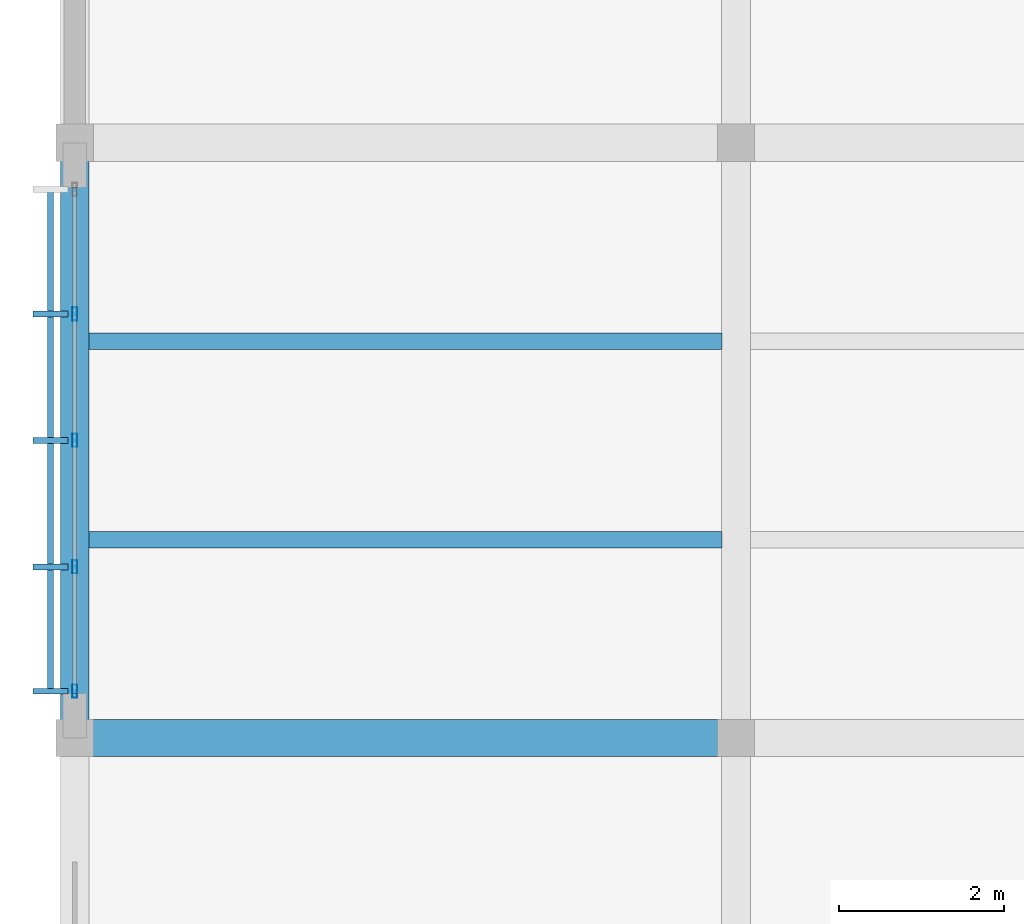
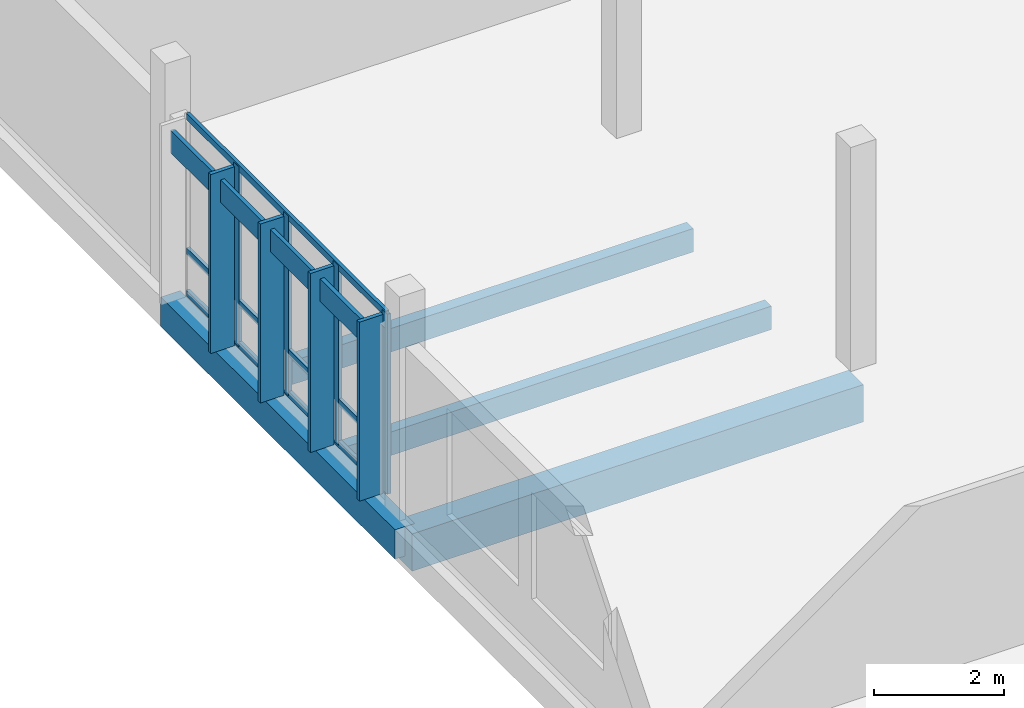
# One storey, part 66 of 182: 12 members, 4 beams, 1 element without a shape of its own.
"""IFC4 building model written with IfcOpenShell, lengths in metres."""

from ifc_helpers import new_model, si_unit, direction, frame, origin, origin_2d, place, context, subcontext, project, spatial, rectangle, hollow_rectangle, extrude, material, material_profile, profile_set, type_object, element, aggregate, save


model = new_model("IFC4")

# Units and contexts
model_context = context("Model", 3, precision=1e-05, world=origin(), true_north=direction((0.0, 1.0)))
body_context = subcontext(model_context, "Body", "Model", "MODEL_VIEW")
ifc_project = project(units=[si_unit("LENGTHUNIT", "METRE"), si_unit("AREAUNIT", "SQUARE_METRE"), si_unit("VOLUMEUNIT", "CUBIC_METRE"), si_unit("PLANEANGLEUNIT", "RADIAN"), si_unit("MASSUNIT", "GRAM", prefix="KILO")], contexts=[model_context])

# Site, building, storey
site_placement = place(None, origin())
site = spatial("IfcSite", under=ifc_project, at=site_placement, CompositionType="ELEMENT")
building_placement = place(site_placement, origin())
building = spatial("IfcBuilding", under=site, at=building_placement, Name="Chiffa Square Polytechnic", CompositionType="ELEMENT")
storey_placement = place(building_placement, frame((0.0, 0.0, 9.60009765625)))
storey = spatial("IfcBuildingStorey", under=building, at=storey_placement, Name="L02", CompositionType="ELEMENT", Elevation=9.60009765625)

# Beams
ifc_material_1 = material(Name="Concrete C35/45", Category="concrete")
ifc_material_profile_1 = material_profile(ifc_material_1, rectangle(XDim=0.35009765625, YDim=0.550048828125, at=origin_2d()), Name="RC 350x550")
ifc_profile_set_1 = profile_set([ifc_material_profile_1], Name="Concrete C35/45")
beam_type_1 = type_object("IfcBeamType", Name="BM-RC-350X550", PredefinedType="BEAM", material=ifc_profile_set_1)
beam_1_placement = place(storey_placement, frame((0.0, 65.39990234375, -0.59521484375), z_axis=(0.0, 1.0, 0.0), x_axis=(-1.0, 0.0, 0.0)))
element("IfcBeam", 1, at=beam_1_placement, inside=storey, type_object=beam_type_1, Name="Primary floor girder BM-V6-L02-Y-0000-0654", PredefinedType="BEAM", context=body_context, shape_type="SweptSolid", body=[
    extrude(rectangle(XDim=0.35009765625, YDim=0.550048828125, at=origin_2d()), origin(), (0.0, 0.0, 1.0), 7.2001953125),
])
ifc_material_profile_2 = material_profile(ifc_material_1, rectangle(XDim=0.449951171875, YDim=0.699951171875, at=origin_2d()), Name="RC 450x700")
ifc_profile_set_2 = profile_set([ifc_material_profile_2], Name="Concrete C35/45")
beam_type_2 = type_object("IfcBeamType", Name="BM-RC-450X700", PredefinedType="BEAM", material=ifc_profile_set_2)
beam_2_placement = place(storey_placement, frame((0.0, 65.39990234375, -0.670166015625), z_axis=(1.0, 0.0, 0.0), x_axis=(0.0, 1.0, 0.0)))
element("IfcBeam", 2, at=beam_2_placement, inside=storey, type_object=beam_type_2, Name="Primary floor girder BM-V6-L02-X-0000-0654", PredefinedType="BEAM", context=body_context, shape_type="SweptSolid", body=[
    extrude(rectangle(XDim=0.449951171875, YDim=0.699951171875, at=origin_2d()), origin(), (0.0, 0.0, 1.0), 8.0),
])

# Curtain wall, members
ifc_material_2 = material(Name="Aluminium EN AW-6060 T66 and glulam shading", Category="wood")
curtain_wall_type = type_object("IfcCurtainWallType", Name="CW-VERT-300X380", PredefinedType="USERDEFINED", material=ifc_material_2)
curtain_wall_placement = place(storey_placement, origin())
curtain_wall = element("IfcCurtainWall", 3, at=curtain_wall_placement, inside=storey, type_object=curtain_wall_type, Name="Curtain wall CW-V6-L02-267", ObjectType="CURTAIN WALL", PredefinedType="USERDEFINED")
ifc_material_3 = material(Name="Aluminium EN AW-6060 T66", Category="aluminium")
ifc_material_profile_3 = material_profile(ifc_material_3, hollow_rectangle(XDim=0.06005859375, YDim=0.159912109375, WallThickness=0.00390625, at=origin_2d()), Name="ALU 60x160x4")
ifc_profile_set_3 = profile_set([ifc_material_profile_3], Name="Aluminium EN AW-6060 T66")
member_type_1 = type_object("IfcMemberType", Name="CWM-ALU-65X150", PredefinedType="MULLION", material=ifc_profile_set_3)
member_1_placement = place(storey_placement, frame((0.0, 70.530029296875, 0.0), z_axis=(0.0, 0.0, 1.0), x_axis=(1.0, 0.0, 0.0)))
member_1 = element("IfcMember", 4, at=member_1_placement, type_object=member_type_1, Name="Curtain wall mullion CW-V6-L02-267-M01", PredefinedType="MULLION", context=body_context, shape_type="SweptSolid", body=[
    extrude(hollow_rectangle(XDim=0.06005859375, YDim=0.159912109375, WallThickness=0.00390625, at=origin_2d()), origin(), (0.0, 0.0, 1.0), 3.375),
])
member_2_placement = place(storey_placement, frame((0.0, 69.0, 0.0), z_axis=(0.0, 0.0, 1.0), x_axis=(1.0, 0.0, 0.0)))
member_2 = element("IfcMember", 5, at=member_2_placement, type_object=member_type_1, Name="Curtain wall mullion CW-V6-L02-267-M02", PredefinedType="MULLION", context=body_context, shape_type="SweptSolid", body=[
    extrude(hollow_rectangle(XDim=0.06005859375, YDim=0.159912109375, WallThickness=0.00390625, at=origin_2d()), origin(), (0.0, 0.0, 1.0), 3.375),
])
member_3_placement = place(storey_placement, frame((0.0, 67.469970703125, 0.0), z_axis=(0.0, 0.0, 1.0), x_axis=(1.0, 0.0, 0.0)))
member_3 = element("IfcMember", 6, at=member_3_placement, type_object=member_type_1, Name="Curtain wall mullion CW-V6-L02-267-M03", PredefinedType="MULLION", context=body_context, shape_type="SweptSolid", body=[
    extrude(hollow_rectangle(XDim=0.06005859375, YDim=0.159912109375, WallThickness=0.00390625, at=origin_2d()), origin(), (0.0, 0.0, 1.0), 3.375),
])
member_4_placement = place(storey_placement, frame((0.0, 65.965087890625, 0.0), z_axis=(0.0, 0.0, 1.0), x_axis=(1.0, 0.0, 0.0)))
member_4 = element("IfcMember", 7, at=member_4_placement, type_object=member_type_1, Name="Curtain wall mullion CW-V6-L02-267-M04", PredefinedType="MULLION", context=body_context, shape_type="SweptSolid", body=[
    extrude(hollow_rectangle(XDim=0.06005859375, YDim=0.159912109375, WallThickness=0.00390625, at=origin_2d()), origin(), (0.0, 0.0, 1.0), 3.375),
])
ifc_material_4 = material(Name="Glulam GL28h", Category="wood")
ifc_material_profile_4 = material_profile(ifc_material_4, rectangle(XDim=0.070068359375, YDim=0.419921875, at=origin_2d()), Name="GL28h 70x420")
ifc_profile_set_4 = profile_set([ifc_material_profile_4], Name="Glulam GL28h")
member_type_2 = type_object("IfcMemberType", Name="CWM-GL-70X420", PredefinedType="MULLION", material=ifc_profile_set_4)
member_5_placement = place(storey_placement, frame((-0.2919921875, 70.530029296875, 0.010009765625), z_axis=(0.0, 0.0, 1.0), x_axis=(0.0, -1.0, 0.0)))
member_5 = element("IfcMember", 8, at=member_5_placement, type_object=member_type_2, Name="Exterior glulam solar fin CW-V6-L02-267-FN01", PredefinedType="MULLION", context=body_context, shape_type="SweptSolid", body=[
    extrude(rectangle(XDim=0.070068359375, YDim=0.419921875, at=origin_2d()), origin(), (0.0, 0.0, 1.0), 3.35498046875),
])
member_6_placement = place(storey_placement, frame((-0.2919921875, 69.0, 0.010009765625), z_axis=(0.0, 0.0, 1.0), x_axis=(0.0, -1.0, 0.0)))
member_6 = element("IfcMember", 9, at=member_6_placement, type_object=member_type_2, Name="Exterior glulam solar fin CW-V6-L02-267-FN02", PredefinedType="MULLION", context=body_context, shape_type="SweptSolid", body=[
    extrude(rectangle(XDim=0.070068359375, YDim=0.419921875, at=origin_2d()), origin(), (0.0, 0.0, 1.0), 3.35498046875),
])
member_7_placement = place(storey_placement, frame((-0.2919921875, 67.469970703125, 0.010009765625), z_axis=(0.0, 0.0, 1.0), x_axis=(0.0, -1.0, 0.0)))
member_7 = element("IfcMember", 10, at=member_7_placement, type_object=member_type_2, Name="Exterior glulam solar fin CW-V6-L02-267-FN03", PredefinedType="MULLION", context=body_context, shape_type="SweptSolid", body=[
    extrude(rectangle(XDim=0.070068359375, YDim=0.419921875, at=origin_2d()), origin(), (0.0, 0.0, 1.0), 3.35498046875),
])
member_8_placement = place(storey_placement, frame((-0.2919921875, 65.965087890625, 0.010009765625), z_axis=(0.0, 0.0, 1.0), x_axis=(0.0, -1.0, 0.0)))
member_8 = element("IfcMember", 11, at=member_8_placement, type_object=member_type_2, Name="Exterior glulam solar fin CW-V6-L02-267-FN04", PredefinedType="MULLION", context=body_context, shape_type="SweptSolid", body=[
    extrude(rectangle(XDim=0.070068359375, YDim=0.419921875, at=origin_2d()), origin(), (0.0, 0.0, 1.0), 3.35498046875),
])
ifc_material_profile_5 = material_profile(ifc_material_3, hollow_rectangle(XDim=0.06005859375, YDim=0.1201171875, WallThickness=0.00390625, at=origin_2d()), Name="ALU 60x120x4")
ifc_profile_set_5 = profile_set([ifc_material_profile_5], Name="Aluminium EN AW-6060 T66")
member_type_3 = type_object("IfcMemberType", Name="CWT-ALU-65X120", PredefinedType="USERDEFINED", material=ifc_profile_set_5)
member_9_placement = place(storey_placement, frame((0.0, 72.06201171875, 0.02978515625), z_axis=(0.0, -1.0, 0.0), x_axis=(1.0, 0.0, 0.0)))
member_9 = element("IfcMember", 12, at=member_9_placement, type_object=member_type_3, Name="Curtain wall transom CW-V6-L02-267-T01", ObjectType="TRANSOM", PredefinedType="USERDEFINED", context=body_context, shape_type="SweptSolid", body=[
    extrude(hollow_rectangle(XDim=0.06005859375, YDim=0.1201171875, WallThickness=0.00390625, at=origin_2d()), origin(), (0.0, 0.0, 1.0), 6.1240234375),
])
member_10_placement = place(storey_placement, frame((0.0, 72.06201171875, 0.81982421875), z_axis=(0.0, -1.0, 0.0), x_axis=(1.0, 0.0, 0.0)))
member_10 = element("IfcMember", 13, at=member_10_placement, type_object=member_type_3, Name="Curtain wall transom CW-V6-L02-267-T02", ObjectType="TRANSOM", PredefinedType="USERDEFINED", context=body_context, shape_type="SweptSolid", body=[
    extrude(hollow_rectangle(XDim=0.06005859375, YDim=0.1201171875, WallThickness=0.00390625, at=origin_2d()), origin(), (0.0, 0.0, 1.0), 6.1240234375),
])
member_11_placement = place(storey_placement, frame((0.0, 72.06201171875, 3.344970703125), z_axis=(0.0, -1.0, 0.0), x_axis=(1.0, 0.0, 0.0)))
member_11 = element("IfcMember", 14, at=member_11_placement, type_object=member_type_3, Name="Curtain wall transom CW-V6-L02-267-T03", ObjectType="TRANSOM", PredefinedType="USERDEFINED", context=body_context, shape_type="SweptSolid", body=[
    extrude(hollow_rectangle(XDim=0.06005859375, YDim=0.1201171875, WallThickness=0.00390625, at=origin_2d()), origin(), (0.0, 0.0, 1.0), 6.1240234375),
])
ifc_material_profile_6 = material_profile(ifc_material_4, rectangle(XDim=0.070068359375, YDim=0.419921875, at=origin_2d()), Name="GL28h 70x420")
ifc_profile_set_6 = profile_set([ifc_material_profile_6], Name="Glulam GL28h")
member_type_4 = type_object("IfcMemberType", Name="CWT-GL-70X420", PredefinedType="USERDEFINED", material=ifc_profile_set_6)
member_12_placement = place(storey_placement, frame((-0.2919921875, 72.034912109375, 2.994873046875), z_axis=(0.0, -1.0, 0.0), x_axis=(1.0, 0.0, 0.0)))
member_12 = element("IfcMember", 15, at=member_12_placement, type_object=member_type_4, Name="Exterior glulam brise-soleil CW-V6-L02-267-BS01", ObjectType="TRANSOM", PredefinedType="USERDEFINED", context=body_context, shape_type="SweptSolid", body=[
    extrude(rectangle(XDim=0.070068359375, YDim=0.419921875, at=origin_2d()), origin(), (0.0, 0.0, 1.0), 6.06982421875),
])
aggregate(curtain_wall, [member_1, member_5, member_2, member_6, member_3, member_7, member_4, member_8, member_9, member_10, member_11, member_12])

# Beams
ifc_material_profile_7 = material_profile(ifc_material_4, rectangle(XDim=0.199951171875, YDim=0.43994140625, at=origin_2d()), Name="GL28h 200x440")
ifc_profile_set_7 = profile_set([ifc_material_profile_7], Name="Glulam GL28h")
beam_type_3 = type_object("IfcBeamType", Name="JST-GL-200X440", PredefinedType="JOIST", material=ifc_profile_set_7)
for number, where, z_axis, x_axis, name in (
    (16, (0.173095703125, 67.800048828125, -0.5400390625), (1.0, 0.0, 0.0), (0.0, 1.0, 0.0), "Secondary floor joist JST-V6-L02-0000-0678"),
    (17, (0.173095703125, 70.199951171875, -0.5400390625), (1.0, 0.0, 0.0), (0.0, 1.0, 0.0), "Secondary floor joist JST-V6-L02-0000-0702"),
):
    element("IfcBeam", number, at=place(storey_placement, frame(where, z_axis=z_axis, x_axis=x_axis)), inside=storey, type_object=beam_type_3, Name=name, PredefinedType="JOIST", context=body_context, shape_type="SweptSolid", body=[
        extrude(rectangle(XDim=0.199951171875, YDim=0.43994140625, at=origin_2d()), origin(), (0.0, 0.0, 1.0), 7.65380859375),
    ])

save(model, "model.ifc")
